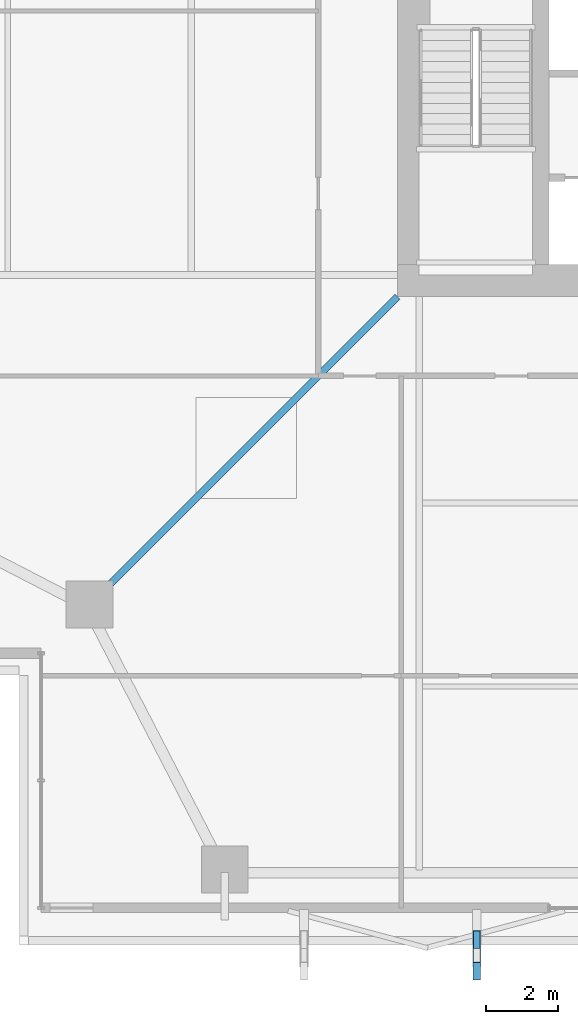
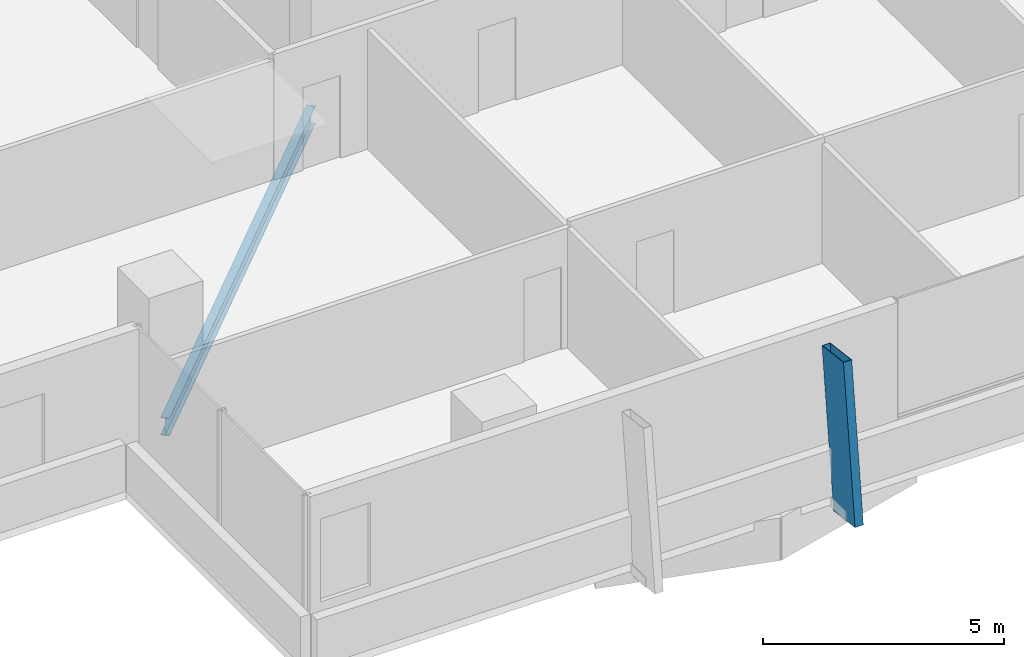
# One storey, part 4 of 34: 1 beam, 1 member.
"""IFC4 building model written with IfcOpenShell, lengths in metres."""

from ifc_helpers import new_model, si_unit, direction, frame, origin, origin_2d, place, context, subcontext, project, spatial, hollow_rectangle, i_section, extrude, material, material_profile, profile_set, type_object, element, save


model = new_model("IFC4")

# Units and contexts
model_context = context("Model", 3, precision=1e-05, world=origin(), true_north=direction((0.0, 1.0)))
body_context = subcontext(model_context, "Body", "Model", "MODEL_VIEW")
ifc_project = project(units=[si_unit("LENGTHUNIT", "METRE"), si_unit("AREAUNIT", "SQUARE_METRE"), si_unit("VOLUMEUNIT", "CUBIC_METRE"), si_unit("PLANEANGLEUNIT", "RADIAN"), si_unit("MASSUNIT", "GRAM", prefix="KILO")], contexts=[model_context])

# Site, building, storey
site_placement = place(None, origin())
site = spatial("IfcSite", under=ifc_project, at=site_placement, CompositionType="ELEMENT")
building_placement = place(site_placement, origin())
building = spatial("IfcBuilding", under=site, at=building_placement, Name="Belovzor Exchange Tower", CompositionType="ELEMENT")
storey_placement = place(building_placement, frame((0.0, 0.0, 113.39990234375)))
storey = spatial("IfcBuildingStorey", under=building, at=storey_placement, Name="L27", CompositionType="ELEMENT", Elevation=113.39990234375)

# Member
ifc_material_1 = material(Name="Extruded Architectural Terracotta on Steel S355 Carrier", Category="masonry")
ifc_material_profile_1 = material_profile(ifc_material_1, hollow_rectangle(XDim=0.199951171875, YDim=0.89990234375, WallThickness=0.011962890625, at=origin_2d()))
ifc_profile_set_1 = profile_set([ifc_material_profile_1], Name="Extruded Architectural Terracotta on Steel S355 Carrier")
member_type = type_object("IfcMemberType", Name="Sweeping Terracotta Baguette Fin Assembly 1250", PredefinedType="USERDEFINED", material=ifc_profile_set_1)
member_placement = place(storey_placement, frame((22.0, 1.27490234375, -0.25), z_axis=(0.0, 0.122941295572, 0.992413944805), x_axis=(-1.0, 0.0, 0.0)))
element("IfcMember", 1, at=member_placement, inside=storey, type_object=member_type, Name="FIN-TC125 Terracotta Facade Fin L27 S2", ObjectType="FIN", PredefinedType="USERDEFINED", context=body_context, shape_type="SweptSolid", body=[
    extrude(hollow_rectangle(XDim=0.199951171875, YDim=0.89990234375, WallThickness=0.011962890625, at=origin_2d()), origin(), (0.0, 0.0, 1.0), 3.929931640625),
])

# Beam
ifc_material_2 = material(Name="Steel S355", Category="steel")
ifc_material_profile_2 = material_profile(ifc_material_2, i_section(OverallWidth=0.18994140625, OverallDepth=0.449951171875, WebThickness=0.009521484375, FlangeThickness=0.0146484375, at=origin_2d()))
ifc_profile_set_2 = profile_set([ifc_material_profile_2], Name="Steel S355")
beam_type = type_object("IfcBeamType", Name="Zone 2-4 Radial Composite Floor Beam IPE 450", PredefinedType="BEAM", material=ifc_profile_set_2)
beam_placement = place(storey_placement, frame((19.800048828125, 19.800048828125, -0.474853515625), z_axis=(-0.707106781187, -0.707106781187, 0.0), x_axis=(0.707106781187, -0.707106781187, 0.0)))
element("IfcBeam", 2, at=beam_placement, inside=storey, type_object=beam_type, Name="FB-450 Zone 2-4 Radial Composite Floor Beam IPE 450", PredefinedType="BEAM", context=body_context, shape_type="SweptSolid", body=[
    extrude(i_section(OverallWidth=0.18994140625, OverallDepth=0.449951171875, WebThickness=0.009521484375, FlangeThickness=0.0146484375, at=origin_2d()), origin(), (0.0, 0.0, 1.0), 11.71826171875),
])

save(model, "model.ifc")
